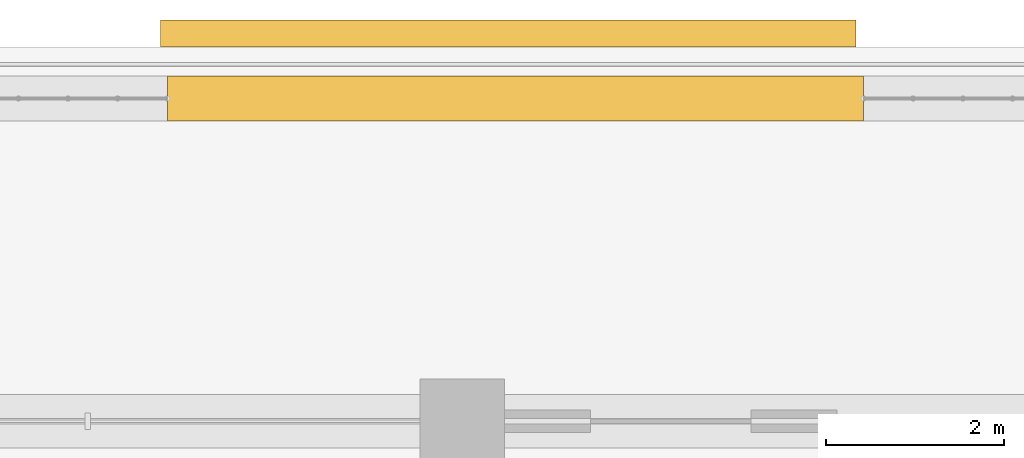
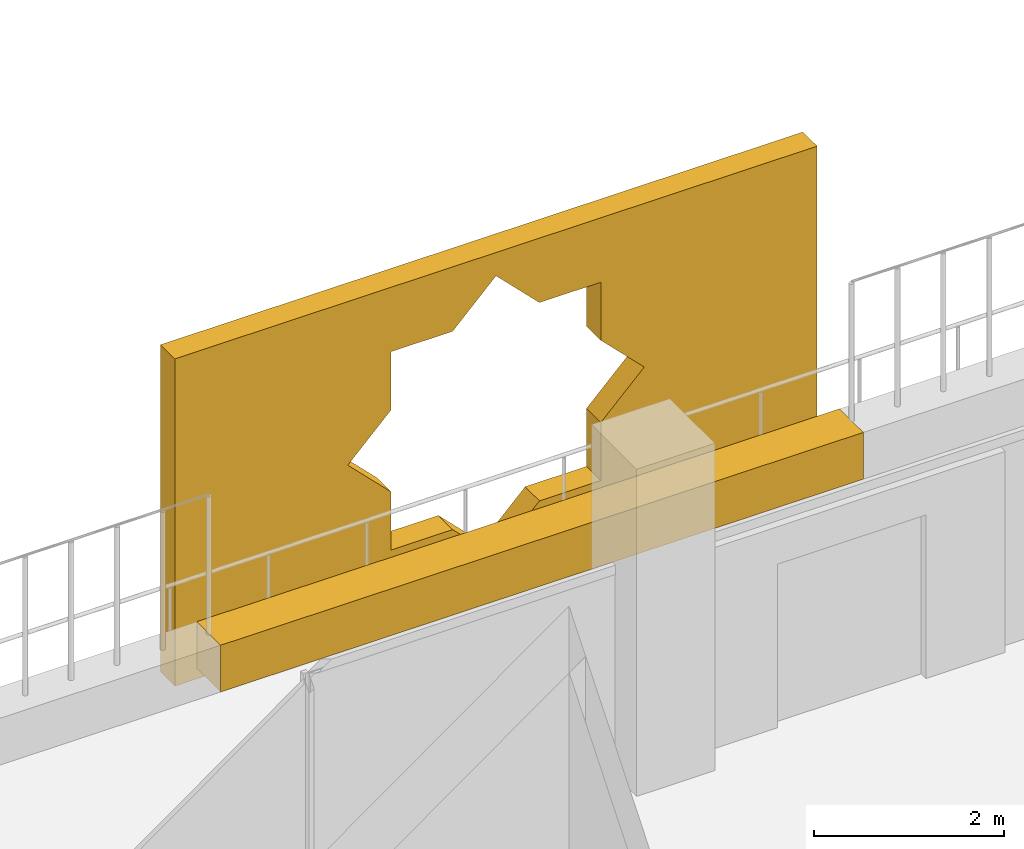
# One storey, part 20 of 23: 2 coverings.
"""IFC4 building model written with IfcOpenShell, lengths in metres."""

from ifc_helpers import new_model, si_unit, direction, frame, origin, origin_2d, place, context, subcontext, project, spatial, polyline, rectangle, outline, extrude, material, material_profile, profile_set, type_object, element, save


model = new_model("IFC4")

# Units and contexts
model_context = context("Model", 3, precision=1e-05, world=origin(), true_north=direction((0.0, 1.0)))
body_context = subcontext(model_context, "Body", "Model", "MODEL_VIEW")
ifc_project = project(units=[si_unit("LENGTHUNIT", "METRE"), si_unit("AREAUNIT", "SQUARE_METRE"), si_unit("VOLUMEUNIT", "CUBIC_METRE"), si_unit("PLANEANGLEUNIT", "RADIAN"), si_unit("MASSUNIT", "GRAM", prefix="KILO")], contexts=[model_context])

# Site, building, storey
site_placement = place(None, origin())
site = spatial("IfcSite", under=ifc_project, at=site_placement, CompositionType="ELEMENT")
building_placement = place(site_placement, origin())
building = spatial("IfcBuilding", under=site, at=building_placement, Name="Kawkab Arch Medical Tower", CompositionType="ELEMENT")
storey_placement = place(building_placement, frame((0.0, 0.0, 175.199951171875)))
storey = spatial("IfcBuildingStorey", under=building, at=storey_placement, Name="L40", CompositionType="ELEMENT", Elevation=175.199951171875)

# Coverings
ifc_material_1 = material(Name="Bronze anodised aluminium mashrabiya panel, eight-point star pattern", Category="aluminium")
ifc_material_profile_1 = material_profile(ifc_material_1, outline(polyline([(-3.89990234375, -2.10009765625), (3.89990234375, -2.10009765625), (3.89990234375, 2.10009765625), (-3.89990234375, 2.10009765625), (-3.89990234375, -2.10009765625)]), holes=[polyline([(1.800048828125, 0.0), (1.272705078125, 0.527099609375), (1.272705078125, 1.272705078125), (0.527099609375, 1.272705078125), (0.0, 1.800048828125), (-0.527099609375, 1.272705078125), (-1.272705078125, 1.272705078125), (-1.272705078125, 0.527099609375), (-1.800048828125, 0.0), (-1.272705078125, -0.527099609375), (-1.272705078125, -1.272705078125), (-0.527099609375, -1.272705078125), (0.0, -1.800048828125), (0.527099609375, -1.272705078125), (1.272705078125, -1.272705078125), (1.272705078125, -0.527099609375), (1.800048828125, 0.0)])]), Name="Mashrabiya panel 7800x4200")
ifc_profile_set_1 = profile_set([ifc_material_profile_1], Name="Bronze anodised aluminium mashrabiya panel, eight-point star pattern")
covering_type_1 = type_object("IfcCoveringType", Name="Mashrabiya panel 7800 x 4200", PredefinedType="USERDEFINED", material=ifc_profile_set_1)
covering_1_placement = place(storey_placement, frame((25.7158203125, 4.199951171875, 1.699951171875), z_axis=(0.0, 1.0, 0.0), x_axis=(-1.0, 0.0, 0.0)))
element("IfcCovering", 1, at=covering_1_placement, inside=storey, type_object=covering_type_1, Name="Mashrabiya panel L40.LOG-01-01.6", ObjectType="SCREEN", PredefinedType="USERDEFINED", context=body_context, shape_type="SweptSolid", body=[
    extrude(outline(polyline([(-3.89990234375, -2.10009765625), (3.89990234375, -2.10009765625), (3.89990234375, 2.10009765625), (-3.89990234375, 2.10009765625), (-3.89990234375, -2.10009765625)]), holes=[polyline([(1.800048828125, 0.0), (1.272705078125, 0.527099609375), (1.272705078125, 1.272705078125), (0.527099609375, 1.272705078125), (0.0, 1.800048828125), (-0.527099609375, 1.272705078125), (-1.272705078125, 1.272705078125), (-1.272705078125, 0.527099609375), (-1.800048828125, 0.0), (-1.272705078125, -0.527099609375), (-1.272705078125, -1.272705078125), (-0.527099609375, -1.272705078125), (0.0, -1.800048828125), (0.527099609375, -1.272705078125), (1.272705078125, -1.272705078125), (1.272705078125, -0.527099609375), (1.800048828125, 0.0)])]), origin(), (0.0, 0.0, 1.0), 0.300048828125),
])
ifc_material_2 = material(Name="Planting soil in a precast trough", Category="concrete")
ifc_material_profile_2 = material_profile(ifc_material_2, rectangle(XDim=0.5, YDim=0.60009765625, at=origin_2d()), Name="Trough 500x600")
ifc_profile_set_2 = profile_set([ifc_material_profile_2], Name="Planting soil in a precast trough")
covering_type_2 = type_object("IfcCoveringType", Name="Planter trough 500 x 600", PredefinedType="USERDEFINED", material=ifc_profile_set_2)
covering_2_placement = place(storey_placement, frame((21.89306640625, 3.6201171875, 0.300048828125), z_axis=(1.0, 0.0, 0.0), x_axis=(0.0, 1.0, 0.0)))
element("IfcCovering", 2, at=covering_2_placement, inside=storey, type_object=covering_type_2, Name="Planter L40.LOG-01-01.20", ObjectType="PLANTER", PredefinedType="USERDEFINED", context=body_context, shape_type="SweptSolid", body=[
    extrude(rectangle(XDim=0.5, YDim=0.60009765625, at=origin_2d()), origin(), (0.0, 0.0, 1.0), 7.804931640625),
])

save(model, "model.ifc")
